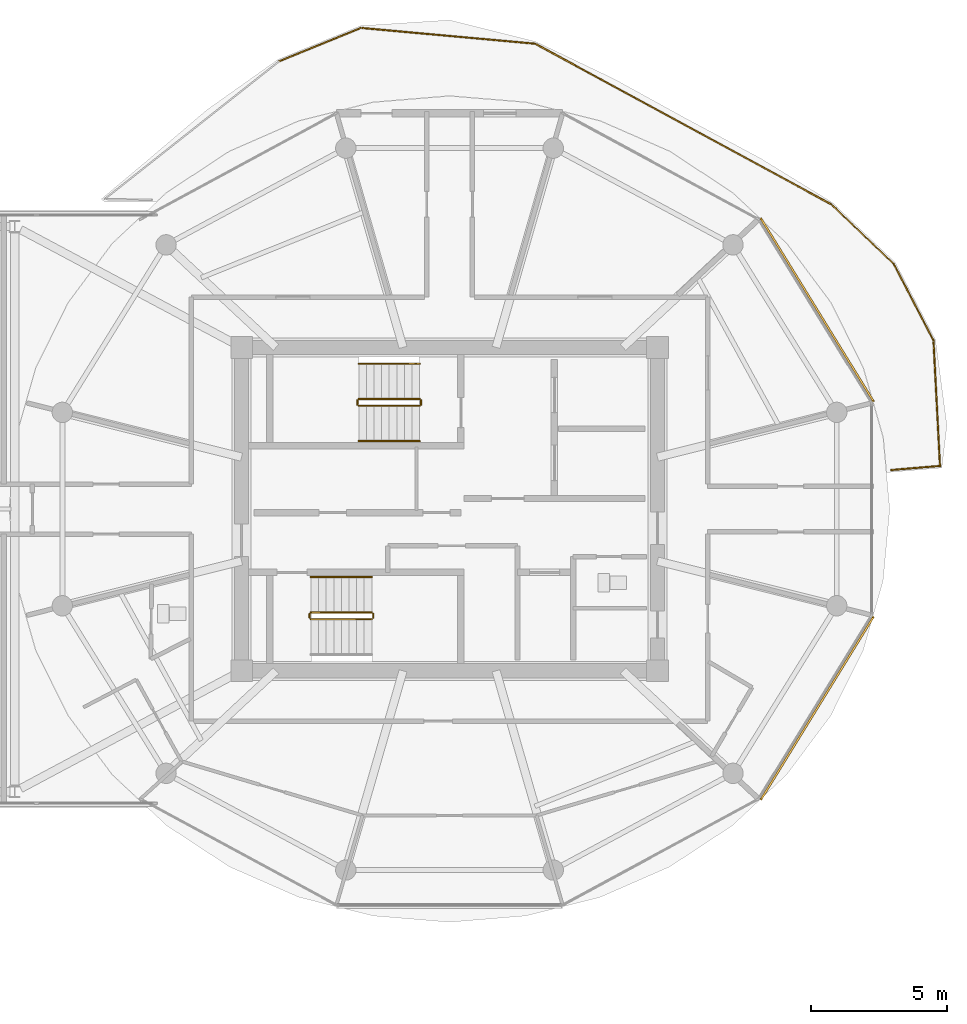
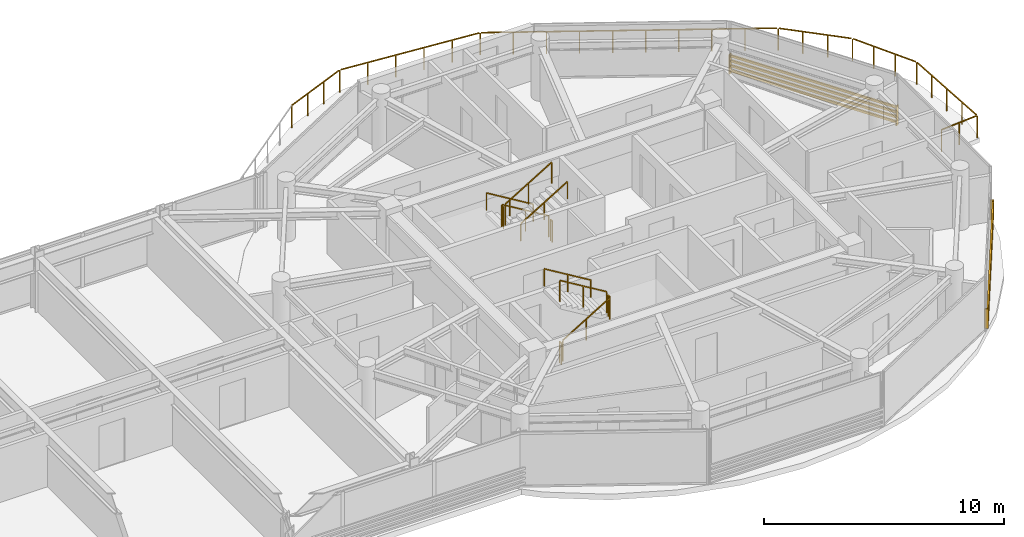
# One storey, part 23 of 24: 12 railings, 2 shading devices.
"""IFC4 building model written with IfcOpenShell, lengths in metres."""

import ifcopenshell
import ifcopenshell.guid

model = None  # the IFC model being written
_history = None  # IfcOwnerHistory: only IFC2X3 demands one
_inside = {}  # id of a spatial element -> (the spatial element, [elements in it])
_under = {}  # id of a project, library or spatial element -> (it, [spatial elements below it])
_declared = {}  # id of a project -> (the project, [libraries it declares])
_typed = {}  # id of a type object -> (the type object, [elements of that type])
_made_of = {}  # id of a material, layer set ... -> (it, [elements and type objects made of it])


def new_model(schema):
    """Start an empty IFC model of exactly this schema.

    Asked for "IFC4X3", IfcOpenShell would pick the latest addendum, in which some entities
    have other attributes; the version numbers below select the first issue.
    IFC2X3 requires an IfcOwnerHistory on every rooted entity: one is made here for all.
    """
    global model, _history
    if schema == "IFC4X3":
        model = ifcopenshell.file(schema_version=(4, 3, 0, 0))
    else:
        model = ifcopenshell.file(schema=schema)
    _inside.clear()
    _under.clear()
    _declared.clear()
    _typed.clear()
    _made_of.clear()
    _history = None
    if model.schema == "IFC2X3":
        org = make("IfcOrganization", Name="unknown")
        user = make(
            "IfcPersonAndOrganization",
            ThePerson=make("IfcPerson", FamilyName="unknown"),
            TheOrganization=org,
        )
        app = make(
            "IfcApplication",
            ApplicationDeveloper=org,
            Version="unknown",
            ApplicationFullName="unknown",
            ApplicationIdentifier="unknown",
        )
        _history = make(
            "IfcOwnerHistory",
            OwningUser=user,
            OwningApplication=app,
            ChangeAction="ADDED",
            CreationDate=0,
        )
    return model


def make(cls, **values):
    """One entity of the class cls with the attributes given. An attribute that is None is left unset."""
    return model.create_entity(
        cls, **{name: value for name, value in values.items() if value is not None}
    )


def rooted(cls, **values):
    """An entity with a GlobalId (a new one), such as an element, a storey or a relation."""
    return make(cls, GlobalId=ifcopenshell.guid.new(), OwnerHistory=_history, **values)


def si_unit(unit_type, name, prefix=None):
    """IfcSIUnit, for example si_unit("LENGTHUNIT", "METRE", prefix="MILLI")."""
    return make("IfcSIUnit", UnitType=unit_type, Prefix=prefix, Name=name)


def assignment(units):
    """IfcUnitAssignment: the units of a project."""
    return None if units is None else make("IfcUnitAssignment", Units=units)


def point(xyz):
    """IfcCartesianPoint."""
    return None if xyz is None else make("IfcCartesianPoint", Coordinates=xyz)


def direction(xyz):
    """IfcDirection."""
    return None if xyz is None else make("IfcDirection", DirectionRatios=xyz)


def frame(location, z_axis=None, x_axis=None):
    """IfcAxis2Placement3D, a coordinate frame: its origin and axes. An axis left out is left unset."""
    return make(
        "IfcAxis2Placement3D",
        Location=point(location),
        Axis=direction(z_axis),
        RefDirection=direction(x_axis),
    )


def frame_2d(location, x_axis=None):
    """IfcAxis2Placement2D, a coordinate frame in the plane: its origin and x axis."""
    return make(
        "IfcAxis2Placement2D", Location=point(location), RefDirection=direction(x_axis)
    )


def origin():
    """The frame at (0, 0, 0) with its axes left unset."""
    return frame((0.0, 0.0, 0.0))


def origin_2d():
    """The frame at (0, 0) in the plane with its x axis left unset."""
    return frame_2d((0.0, 0.0))


def place(relative_to, where):
    """IfcLocalPlacement: puts the frame where relative to a parent placement (None: the world)."""
    return make(
        "IfcLocalPlacement", PlacementRelTo=relative_to, RelativePlacement=where
    )


def context(
    kind, dimensions, precision=None, world=None, true_north=None, identifier=None
):
    """IfcGeometricRepresentationContext, for example the 3D "Model" context."""
    return make(
        "IfcGeometricRepresentationContext",
        ContextIdentifier=identifier,
        ContextType=kind,
        CoordinateSpaceDimension=dimensions,
        Precision=precision,
        WorldCoordinateSystem=world,
        TrueNorth=true_north,
    )


def subcontext(parent, identifier, kind, view, scale=None):
    """IfcGeometricRepresentationSubContext, for example "Body" below "Model"."""
    return make(
        "IfcGeometricRepresentationSubContext",
        ContextIdentifier=identifier,
        ContextType=kind,
        ParentContext=parent,
        TargetScale=scale,
        TargetView=view,
    )


def project(units=None, contexts=None):
    """IfcProject with its units and contexts."""
    return rooted(
        "IfcProject",
        Name="project",
        RepresentationContexts=contexts,
        UnitsInContext=assignment(units),
    )


def spatial(cls, under=None, at=None, **own):
    """A site, building, storey or space (cls), placed at a placement, below another one or the project."""
    s = rooted(cls, ObjectPlacement=at, **own)
    if under is not None:
        _under.setdefault(under.id(), (under, []))[1].append(s)
    return s


def profile(cls, at=None, kind="AREA", **sizes):
    """A parametric profile (cls). Its sizes go by their IFC names, for example OverallWidth=200.0."""
    return make(cls, ProfileType=kind, Position=at, **sizes)


def rectangle(**sizes):
    """IfcRectangleProfileDef."""
    return profile("IfcRectangleProfileDef", **sizes)


def extrude(swept, where, along, depth):
    """IfcExtrudedAreaSolid: the profile swept, set in the frame where, extruded along a direction by depth."""
    return make(
        "IfcExtrudedAreaSolid",
        SweptArea=swept,
        Position=where,
        ExtrudedDirection=direction(along),
        Depth=depth,
    )


def shape(context_of_items, identifier, shape_type, items):
    """IfcShapeRepresentation: the items that make up one representation, for example the "Body"."""
    return make(
        "IfcShapeRepresentation",
        ContextOfItems=context_of_items,
        RepresentationIdentifier=identifier,
        RepresentationType=shape_type,
        Items=items,
    )


def source(mapping_origin, context_of_items, identifier, shape_type, items):
    """IfcRepresentationMap: a shape defined once, which mapped items show again and again."""
    return make(
        "IfcRepresentationMap",
        MappingOrigin=mapping_origin,
        MappedRepresentation=shape(context_of_items, identifier, shape_type, items),
    )


def transform(
    local_origin,
    x_axis=None,
    y_axis=None,
    z_axis=None,
    scale=None,
    scale2=None,
    scale3=None,
    uniform=True,
):
    """IfcCartesianTransformationOperator3D, or its non-uniform kind. x_axis, y_axis, z_axis: its Axis1, 2, 3."""
    if uniform:
        return make(
            "IfcCartesianTransformationOperator3D",
            Axis1=direction(x_axis),
            Axis2=direction(y_axis),
            LocalOrigin=point(local_origin),
            Scale=scale,
            Axis3=direction(z_axis),
        )
    return make(
        "IfcCartesianTransformationOperator3DnonUniform",
        Axis1=direction(x_axis),
        Axis2=direction(y_axis),
        LocalOrigin=point(local_origin),
        Scale=scale,
        Axis3=direction(z_axis),
        Scale2=scale2,
        Scale3=scale3,
    )


def mapped(mapping_source, mapping_target):
    """IfcMappedItem: shows the shape of a source again, moved by a transform."""
    return make(
        "IfcMappedItem", MappingSource=mapping_source, MappingTarget=mapping_target
    )


def material(Name=None, Category=None):
    """IfcMaterial."""
    return make("IfcMaterial", Name=Name, Category=Category)


def made_of(thing, what):
    """Note that an element or type object is made of a material, layer set ...; save() writes the relation."""
    if what is not None:
        _made_of.setdefault(what.id(), (what, []))[1].append(thing)
    return thing


def type_object(cls, material=None, **own):
    """A type object (cls), such as IfcWallType, which elements share."""
    return made_of(rooted(cls, **own), material)


def type_shapes(of_type, sources):
    """Give a type object the sources (RepresentationMaps) that its elements show as mapped items."""
    of_type.RepresentationMaps = sources


def element(
    cls,
    number,
    at=None,
    inside=None,
    cuts=None,
    type_object=None,
    material=None,
    context=None,
    identifier="Body",
    shape_type=None,
    held_by="IfcProductDefinitionShape",
    body=None,
    shapes=None,
    **own,
):
    """One element of the class cls, such as IfcWall. Its Tag is "e" and its number.

    at: its placement. inside: the storey or other place that contains it. cuts: it is an
    opening in that element (IfcRelVoidsElement). A single representation is given by context,
    identifier, shape_type and body (its items); several are given by shapes. held_by: the class
    of the entity that holds the representations. save() writes the other relations.
    """
    e = rooted(cls, Tag="e%d" % number, ObjectPlacement=at, **own)
    if body is not None:
        shapes = [shape(context, identifier, shape_type, body)]
    if shapes is not None:
        e.Representation = make(held_by, Representations=shapes)
    if inside is not None:
        _inside.setdefault(inside.id(), (inside, []))[1].append(e)
    if cuts is not None:
        rooted(
            "IfcRelVoidsElement", RelatingBuildingElement=cuts, RelatedOpeningElement=e
        )
    if type_object is not None:
        _typed.setdefault(type_object.id(), (type_object, []))[1].append(e)
    return made_of(e, material)


def aggregate(whole, parts):
    """IfcRelAggregates: a whole, such as a stair, and the parts it consists of."""
    return rooted("IfcRelAggregates", RelatingObject=whole, RelatedObjects=parts)


def save(model, path):
    """Write the relations noted so far, then the file.

    IfcRelAggregates (storeys below a building ...), IfcRelContainedInSpatialStructure (elements
    in a storey), IfcRelDefinesByType, IfcRelAssociatesMaterial and IfcRelDeclares: one each for
    every whole, place, type object, material and project.
    """
    for whole, parts in _under.values():
        aggregate(whole, parts)
    for where, things in _inside.values():
        rooted(
            "IfcRelContainedInSpatialStructure",
            RelatedElements=things,
            RelatingStructure=where,
        )
    for kind, things in _typed.values():
        rooted("IfcRelDefinesByType", RelatedObjects=things, RelatingType=kind)
    for what, things in _made_of.values():
        rooted("IfcRelAssociatesMaterial", RelatedObjects=things, RelatingMaterial=what)
    for by, libraries in _declared.values():
        rooted("IfcRelDeclares", RelatingContext=by, RelatedDefinitions=libraries)
    model.write(path)


model = new_model("IFC4")

# Units and contexts
model_context = context("Model", 3, precision=1e-05, world=origin(), true_north=direction((0.0, 1.0)))
body_context = subcontext(model_context, "Body", "Model", "MODEL_VIEW")
ifc_project = project(units=[si_unit("LENGTHUNIT", "METRE"), si_unit("AREAUNIT", "SQUARE_METRE"), si_unit("VOLUMEUNIT", "CUBIC_METRE"), si_unit("PLANEANGLEUNIT", "RADIAN"), si_unit("MASSUNIT", "GRAM", prefix="KILO")], contexts=[model_context])

# Site, building, storey
site_placement = place(None, origin())
site = spatial("IfcSite", under=ifc_project, at=site_placement, CompositionType="ELEMENT")
building_placement = place(site_placement, origin())
building = spatial("IfcBuilding", under=site, at=building_placement, Name="Norrkilde Senior Care Towers", CompositionType="ELEMENT")
storey_placement = place(building_placement, frame((0.0, 0.0, 226.10009765625)))
storey = spatial("IfcBuildingStorey", under=building, at=storey_placement, Name="L70", CompositionType="ELEMENT", Elevation=226.10009765625)

# Railings
ifc_material_1 = material(Name="Anodised Aluminium", Category="aluminium")
railing_type_1 = type_object("IfcRailingType", Name="Balcony Swirl Ribbon Guardrail 1150", PredefinedType="GUARDRAIL", material=ifc_material_1)
railing_1_placement = place(storey_placement, frame((21.7255859375, 16.474609375, 0.0)))
element("IfcRailing", 1, at=railing_1_placement, inside=storey, type_object=railing_type_1, Name="L70 Perimeter Safety Guard 01", PredefinedType="GUARDRAIL", context=body_context, shape_type="SweptSolid", body=[
    extrude(rectangle(XDim=0.048095703125, YDim=0.048095703125, at=origin_2d()), frame((0.0, 0.0, 1.1259765625), z_axis=(0.925804795681, 0.378001958055, 0.0), x_axis=(-0.378001958055, 0.925804795681, 0.0)), (0.0, 0.0, 1.0), 3.21435546875),
    extrude(rectangle(XDim=0.048095703125, YDim=0.048095703125, at=origin_2d()), frame((3.054443359375, 1.226806640625, 1.1259765625), z_axis=(0.995906553427, -0.090388809267, 0.0), x_axis=(0.090388809267, 0.995906553427, 0.0)), (0.0, 0.0, 1.0), 6.360107421875),
    extrude(rectangle(XDim=0.048095703125, YDim=0.048095703125, at=origin_2d()), frame((9.465087890625, 0.628662109375, 1.1259765625), z_axis=(0.878921404116, -0.476966629216, 0.0), x_axis=(0.476966629216, 0.878921404116, 0.0)), (0.0, 0.0, 1.0), 12.308837890625),
    extrude(rectangle(XDim=0.048095703125, YDim=0.048095703125, at=origin_2d()), frame((20.34912109375, -5.2900390625, 1.1259765625), z_axis=(0.723378195672, -0.690452015731, 0.0), x_axis=(0.690452015731, 0.723378195672, 0.0)), (0.0, 0.0, 1.0), 3.09912109375),
    extrude(rectangle(XDim=0.048095703125, YDim=0.048095703125, at=origin_2d()), frame((22.639404296875, -7.494384765625, 1.1259765625), z_axis=(0.460852637019, -0.887476674033, 0.0), x_axis=(0.887476674033, 0.460852637019, 0.0)), (0.0, 0.0, 1.0), 3.085205078125),
    extrude(rectangle(XDim=0.048095703125, YDim=0.048095703125, at=origin_2d()), frame((24.082275390625, -10.309326171875, 1.1259765625), z_axis=(0.051791257746, -0.998657932238, 0.0), x_axis=(0.998657932238, 0.051791257746, 0.0)), (0.0, 0.0, 1.0), 4.542724609375),
    extrude(rectangle(XDim=0.048095703125, YDim=0.048095703125, at=origin_2d()), frame((24.27880859375, -14.89013671875, 1.1259765625), z_axis=(-0.996532683611, -0.083202226503, 0.0), x_axis=(0.083202226503, -0.996532683611, 0.0)), (0.0, 0.0, 1.0), 1.763671875),
    extrude(rectangle(XDim=0.0419921875, YDim=0.0419921875, at=origin_2d()), origin(), (0.0, 0.0, 1.0), 1.099853515625),
    extrude(rectangle(XDim=0.0419921875, YDim=0.0419921875, at=origin_2d()), frame((1.004638671875, 0.41015625, 0.0)), (0.0, 0.0, 1.0), 1.099853515625),
    extrude(rectangle(XDim=0.0419921875, YDim=0.0419921875, at=origin_2d()), frame((2.009033203125, 0.8203125, 0.0)), (0.0, 0.0, 1.0), 1.099853515625),
    extrude(rectangle(XDim=0.0419921875, YDim=0.0419921875, at=origin_2d()), frame((3.013671875, 1.23046875, 0.0)), (0.0, 0.0, 1.0), 1.099853515625),
    extrude(rectangle(XDim=0.0419921875, YDim=0.0419921875, at=origin_2d()), frame((4.296875, 1.114013671875, 0.0)), (0.0, 0.0, 1.0), 1.099853515625),
    extrude(rectangle(XDim=0.0419921875, YDim=0.0419921875, at=origin_2d()), frame((5.579833984375, 0.99755859375, 0.0)), (0.0, 0.0, 1.0), 1.099853515625),
    extrude(rectangle(XDim=0.0419921875, YDim=0.0419921875, at=origin_2d()), frame((6.863037109375, 0.881103515625, 0.0)), (0.0, 0.0, 1.0), 1.099853515625),
    extrude(rectangle(XDim=0.0419921875, YDim=0.0419921875, at=origin_2d()), frame((8.14599609375, 0.7646484375, 0.0)), (0.0, 0.0, 1.0), 1.099853515625),
    extrude(rectangle(XDim=0.0419921875, YDim=0.0419921875, at=origin_2d()), frame((9.42919921875, 0.648193359375, 0.0)), (0.0, 0.0, 1.0), 1.099853515625),
    extrude(rectangle(XDim=0.0419921875, YDim=0.0419921875, at=origin_2d()), frame((10.63916015625, -0.008544921875, 0.0)), (0.0, 0.0, 1.0), 1.099853515625),
    extrude(rectangle(XDim=0.0419921875, YDim=0.0419921875, at=origin_2d()), frame((11.849365234375, -0.6650390625, 0.0)), (0.0, 0.0, 1.0), 1.099853515625),
    extrude(rectangle(XDim=0.0419921875, YDim=0.0419921875, at=origin_2d()), frame((13.059326171875, -1.32177734375, 0.0)), (0.0, 0.0, 1.0), 1.099853515625),
    extrude(rectangle(XDim=0.0419921875, YDim=0.0419921875, at=origin_2d()), frame((14.269287109375, -1.978515625, 0.0)), (0.0, 0.0, 1.0), 1.099853515625),
    extrude(rectangle(XDim=0.0419921875, YDim=0.0419921875, at=origin_2d()), frame((15.4794921875, -2.635009765625, 0.0)), (0.0, 0.0, 1.0), 1.099853515625),
    extrude(rectangle(XDim=0.0419921875, YDim=0.0419921875, at=origin_2d()), frame((16.689453125, -3.291748046875, 0.0)), (0.0, 0.0, 1.0), 1.099853515625),
    extrude(rectangle(XDim=0.0419921875, YDim=0.0419921875, at=origin_2d()), frame((17.8994140625, -3.948486328125, 0.0)), (0.0, 0.0, 1.0), 1.099853515625),
    extrude(rectangle(XDim=0.0419921875, YDim=0.0419921875, at=origin_2d()), frame((19.109619140625, -4.60498046875, 0.0)), (0.0, 0.0, 1.0), 1.099853515625),
    extrude(rectangle(XDim=0.0419921875, YDim=0.0419921875, at=origin_2d()), frame((20.319580078125, -5.26171875, 0.0)), (0.0, 0.0, 1.0), 1.099853515625),
    extrude(rectangle(XDim=0.0419921875, YDim=0.0419921875, at=origin_2d()), frame((21.086669921875, -5.993896484375, 0.0)), (0.0, 0.0, 1.0), 1.099853515625),
    extrude(rectangle(XDim=0.0419921875, YDim=0.0419921875, at=origin_2d()), frame((21.853515625, -6.725830078125, 0.0)), (0.0, 0.0, 1.0), 1.099853515625),
    extrude(rectangle(XDim=0.0419921875, YDim=0.0419921875, at=origin_2d()), frame((22.62060546875, -7.4580078125, 0.0)), (0.0, 0.0, 1.0), 1.099853515625),
    extrude(rectangle(XDim=0.0419921875, YDim=0.0419921875, at=origin_2d()), frame((23.107177734375, -8.394775390625, 0.0)), (0.0, 0.0, 1.0), 1.099853515625),
    extrude(rectangle(XDim=0.0419921875, YDim=0.0419921875, at=origin_2d()), frame((23.593505859375, -9.331787109375, 0.0)), (0.0, 0.0, 1.0), 1.099853515625),
    extrude(rectangle(XDim=0.0419921875, YDim=0.0419921875, at=origin_2d()), frame((24.080078125, -10.2685546875, 0.0)), (0.0, 0.0, 1.0), 1.099853515625),
    extrude(rectangle(XDim=0.0419921875, YDim=0.0419921875, at=origin_2d()), frame((24.139892578125, -11.423095703125, 0.0)), (0.0, 0.0, 1.0), 1.099853515625),
    extrude(rectangle(XDim=0.0419921875, YDim=0.0419921875, at=origin_2d()), frame((24.19970703125, -12.57763671875, 0.0)), (0.0, 0.0, 1.0), 1.099853515625),
    extrude(rectangle(XDim=0.0419921875, YDim=0.0419921875, at=origin_2d()), frame((24.259765625, -13.732177734375, 0.0)), (0.0, 0.0, 1.0), 1.099853515625),
    extrude(rectangle(XDim=0.0419921875, YDim=0.0419921875, at=origin_2d()), frame((24.319580078125, -14.88671875, 0.0)), (0.0, 0.0, 1.0), 1.099853515625),
    extrude(rectangle(XDim=0.0419921875, YDim=0.0419921875, at=origin_2d()), frame((23.42041015625, -14.9619140625, 0.0)), (0.0, 0.0, 1.0), 1.099853515625),
    extrude(rectangle(XDim=0.0419921875, YDim=0.0419921875, at=origin_2d()), frame((22.521240234375, -15.036865234375, 0.0)), (0.0, 0.0, 1.0), 1.099853515625),
])
ifc_material_2 = material(Name="Stainless Steel", Category="steel")
railing_type_2 = type_object("IfcRailingType", Name="Stair and Terrace Guardrail 1100", PredefinedType="GUARDRAIL", material=ifc_material_2)
railing_2_placement = place(storey_placement, frame((26.89990234375, 4.050048828125, 0.16943359375)))
element("IfcRailing", 2, at=railing_2_placement, inside=storey, type_object=railing_type_2, Name="L70 ST-E1 stair guard 1", PredefinedType="GUARDRAIL", context=body_context, shape_type="SweptSolid", body=[
    extrude(rectangle(XDim=0.048095703125, YDim=0.048095703125, at=origin_2d()), frame((0.0, 0.0, 1.076171875), z_axis=(-0.855553338991, 0.0, 0.51771467445), x_axis=(0.0, -1.0, 0.0)), (0.0, 0.0, 1.0), 2.6181640625),
    extrude(rectangle(XDim=0.0419921875, YDim=0.0419921875, at=origin_2d()), origin(), (0.0, 0.0, 1.0), 1.050048828125),
    extrude(rectangle(XDim=0.0419921875, YDim=0.0419921875, at=origin_2d()), frame((-1.1201171875, 0.0, 0.677734375)), (0.0, 0.0, 1.0), 1.050048828125),
    extrude(rectangle(XDim=0.0419921875, YDim=0.0419921875, at=origin_2d()), frame((-2.239990234375, 0.0, 1.35546875)), (0.0, 0.0, 1.0), 1.050048828125),
])
railing_3_placement = place(storey_placement, frame((24.610107421875, 4.0, 1.52490234375)))
element("IfcRailing", 3, at=railing_3_placement, inside=storey, type_object=railing_type_2, Name="L70 ST-E1 stair guard 2", PredefinedType="GUARDRAIL", context=body_context, shape_type="SweptSolid", body=[
    extrude(rectangle(XDim=0.048095703125, YDim=0.048095703125, at=origin_2d()), frame((0.0, 0.0, 1.076171875), z_axis=(0.0, -1.0, 0.0), x_axis=(1.0, 0.0, 0.0)), (0.0, 0.0, 1.0), 0.14990234375),
    extrude(rectangle(XDim=0.0419921875, YDim=0.0419921875, at=origin_2d()), origin(), (0.0, 0.0, 1.0), 1.050048828125),
    extrude(rectangle(XDim=0.0419921875, YDim=0.0419921875, at=origin_2d()), frame((0.0, -0.14990234375, 0.0)), (0.0, 0.0, 1.0), 1.050048828125),
])
railing_4_placement = place(storey_placement, frame((24.659912109375, 3.800048828125, 1.6943359375)))
element("IfcRailing", 4, at=railing_4_placement, inside=storey, type_object=railing_type_2, Name="L70 ST-E1 stair guard 3", PredefinedType="GUARDRAIL", context=body_context, shape_type="SweptSolid", body=[
    extrude(rectangle(XDim=0.048095703125, YDim=0.048095703125, at=origin_2d()), frame((0.0, 0.0, 1.076171875), z_axis=(0.855553338991, 0.0, 0.51771467445), x_axis=(0.0, 1.0, 0.0)), (0.0, 0.0, 1.0), 2.6181640625),
    extrude(rectangle(XDim=0.0419921875, YDim=0.0419921875, at=origin_2d()), origin(), (0.0, 0.0, 1.0), 1.050048828125),
    extrude(rectangle(XDim=0.0419921875, YDim=0.0419921875, at=origin_2d()), frame((1.1201171875, 0.0, 0.677734375)), (0.0, 0.0, 1.0), 1.050048828125),
    extrude(rectangle(XDim=0.0419921875, YDim=0.0419921875, at=origin_2d()), frame((2.239990234375, 0.0, 1.35546875)), (0.0, 0.0, 1.0), 1.050048828125),
])
railing_5_placement = place(storey_placement, frame((26.949951171875, 4.0, 0.0)))
element("IfcRailing", 5, at=railing_5_placement, inside=storey, type_object=railing_type_2, Name="L70 ST-E1 stair guard 4", PredefinedType="GUARDRAIL", context=body_context, shape_type="SweptSolid", body=[
    extrude(rectangle(XDim=0.048095703125, YDim=0.048095703125, at=origin_2d()), frame((0.0, 0.0, 1.076171875), z_axis=(0.0, -1.0, 0.0), x_axis=(1.0, 0.0, 0.0)), (0.0, 0.0, 1.0), 0.14990234375),
    extrude(rectangle(XDim=0.0419921875, YDim=0.0419921875, at=origin_2d()), origin(), (0.0, 0.0, 1.0), 1.050048828125),
    extrude(rectangle(XDim=0.0419921875, YDim=0.0419921875, at=origin_2d()), frame((0.0, -0.14990234375, 0.0)), (0.0, 0.0, 1.0), 1.050048828125),
])
railing_6_placement = place(storey_placement, frame((22.89990234375, -4.050048828125, 0.16943359375)))
element("IfcRailing", 6, at=railing_6_placement, inside=storey, type_object=railing_type_2, Name="L70 ST-E2 stair guard 1", PredefinedType="GUARDRAIL", context=body_context, shape_type="SweptSolid", body=[
    extrude(rectangle(XDim=0.048095703125, YDim=0.048095703125, at=origin_2d()), frame((0.0, 0.0, 1.076171875), z_axis=(0.855553338991, 0.0, 0.51771467445), x_axis=(0.0, 1.0, 0.0)), (0.0, 0.0, 1.0), 2.6181640625),
    extrude(rectangle(XDim=0.0419921875, YDim=0.0419921875, at=origin_2d()), origin(), (0.0, 0.0, 1.0), 1.050048828125),
    extrude(rectangle(XDim=0.0419921875, YDim=0.0419921875, at=origin_2d()), frame((1.1201171875, 0.0, 0.677734375)), (0.0, 0.0, 1.0), 1.050048828125),
    extrude(rectangle(XDim=0.0419921875, YDim=0.0419921875, at=origin_2d()), frame((2.239990234375, 0.0, 1.35546875)), (0.0, 0.0, 1.0), 1.050048828125),
])
railing_7_placement = place(storey_placement, frame((25.18994140625, -4.0, 1.52490234375)))
element("IfcRailing", 7, at=railing_7_placement, inside=storey, type_object=railing_type_2, Name="L70 ST-E2 stair guard 2", PredefinedType="GUARDRAIL", context=body_context, shape_type="SweptSolid", body=[
    extrude(rectangle(XDim=0.048095703125, YDim=0.048095703125, at=origin_2d()), frame((0.0, 0.0, 1.076171875), z_axis=(0.0, 1.0, 0.0), x_axis=(-1.0, 0.0, 0.0)), (0.0, 0.0, 1.0), 0.14990234375),
    extrude(rectangle(XDim=0.0419921875, YDim=0.0419921875, at=origin_2d()), origin(), (0.0, 0.0, 1.0), 1.050048828125),
    extrude(rectangle(XDim=0.0419921875, YDim=0.0419921875, at=origin_2d()), frame((0.0, 0.14990234375, 0.0)), (0.0, 0.0, 1.0), 1.050048828125),
])
railing_8_placement = place(storey_placement, frame((25.139892578125, -3.800048828125, 1.6943359375)))
element("IfcRailing", 8, at=railing_8_placement, inside=storey, type_object=railing_type_2, Name="L70 ST-E2 stair guard 3", PredefinedType="GUARDRAIL", context=body_context, shape_type="SweptSolid", body=[
    extrude(rectangle(XDim=0.048095703125, YDim=0.048095703125, at=origin_2d()), frame((0.0, 0.0, 1.076171875), z_axis=(-0.855553338991, 0.0, 0.51771467445), x_axis=(0.0, -1.0, 0.0)), (0.0, 0.0, 1.0), 2.6181640625),
    extrude(rectangle(XDim=0.0419921875, YDim=0.0419921875, at=origin_2d()), origin(), (0.0, 0.0, 1.0), 1.050048828125),
    extrude(rectangle(XDim=0.0419921875, YDim=0.0419921875, at=origin_2d()), frame((-1.1201171875, 0.0, 0.677734375)), (0.0, 0.0, 1.0), 1.050048828125),
    extrude(rectangle(XDim=0.0419921875, YDim=0.0419921875, at=origin_2d()), frame((-2.239990234375, 0.0, 1.35546875)), (0.0, 0.0, 1.0), 1.050048828125),
])
railing_9_placement = place(storey_placement, frame((22.85009765625, -4.0, 0.0)))
element("IfcRailing", 9, at=railing_9_placement, inside=storey, type_object=railing_type_2, Name="L70 ST-E2 stair guard 4", PredefinedType="GUARDRAIL", context=body_context, shape_type="SweptSolid", body=[
    extrude(rectangle(XDim=0.048095703125, YDim=0.048095703125, at=origin_2d()), frame((0.0, 0.0, 1.076171875), z_axis=(0.0, 1.0, 0.0), x_axis=(-1.0, 0.0, 0.0)), (0.0, 0.0, 1.0), 0.14990234375),
    extrude(rectangle(XDim=0.0419921875, YDim=0.0419921875, at=origin_2d()), origin(), (0.0, 0.0, 1.0), 1.050048828125),
    extrude(rectangle(XDim=0.0419921875, YDim=0.0419921875, at=origin_2d()), frame((0.0, 0.14990234375, 0.0)), (0.0, 0.0, 1.0), 1.050048828125),
])
ifc_material_3 = material(Name="Nordic Ash Timber", Category="wood")
railing_type_3 = type_object("IfcRailingType", Name="Wall and Stair Handrail 900", PredefinedType="HANDRAIL", material=ifc_material_3)
railing_10_placement = place(storey_placement, frame((26.89990234375, 5.35009765625, 0.16943359375)))
element("IfcRailing", 10, at=railing_10_placement, inside=storey, type_object=railing_type_3, Name="L70 ST-E1 stair handrail 1", PredefinedType="HANDRAIL", context=body_context, shape_type="SweptSolid", body=[
    extrude(rectangle(XDim=0.048095703125, YDim=0.048095703125, at=origin_2d()), frame((0.0, 0.0, 0.8759765625), z_axis=(-0.855553338991, 0.0, 0.51771467445), x_axis=(0.0, -1.0, 0.0)), (0.0, 0.0, 1.0), 2.6181640625),
    extrude(rectangle(XDim=0.0419921875, YDim=0.0419921875, at=origin_2d()), origin(), (0.0, 0.0, 1.0), 0.849853515625),
    extrude(rectangle(XDim=0.0419921875, YDim=0.0419921875, at=origin_2d()), frame((-1.1201171875, 0.0, 0.677734375)), (0.0, 0.0, 1.0), 0.849853515625),
    extrude(rectangle(XDim=0.0419921875, YDim=0.0419921875, at=origin_2d()), frame((-2.239990234375, 0.0, 1.35546875)), (0.0, 0.0, 1.0), 0.849853515625),
])
railing_11_placement = place(storey_placement, frame((24.659912109375, 2.5, 1.6943359375)))
element("IfcRailing", 11, at=railing_11_placement, inside=storey, type_object=railing_type_3, Name="L70 ST-E1 stair handrail 2", PredefinedType="HANDRAIL", context=body_context, shape_type="SweptSolid", body=[
    extrude(rectangle(XDim=0.048095703125, YDim=0.048095703125, at=origin_2d()), frame((0.0, 0.0, 0.8759765625), z_axis=(0.855553338991, 0.0, 0.51771467445), x_axis=(0.0, 1.0, 0.0)), (0.0, 0.0, 1.0), 2.6181640625),
    extrude(rectangle(XDim=0.0419921875, YDim=0.0419921875, at=origin_2d()), origin(), (0.0, 0.0, 1.0), 0.849853515625),
    extrude(rectangle(XDim=0.0419921875, YDim=0.0419921875, at=origin_2d()), frame((1.1201171875, 0.0, 0.677734375)), (0.0, 0.0, 1.0), 0.849853515625),
    extrude(rectangle(XDim=0.0419921875, YDim=0.0419921875, at=origin_2d()), frame((2.239990234375, 0.0, 1.35546875)), (0.0, 0.0, 1.0), 0.849853515625),
])
railing_12_placement = place(storey_placement, frame((25.139892578125, -2.5, 1.6943359375)))
element("IfcRailing", 12, at=railing_12_placement, inside=storey, type_object=railing_type_3, Name="L70 ST-E2 stair handrail 2", PredefinedType="HANDRAIL", context=body_context, shape_type="SweptSolid", body=[
    extrude(rectangle(XDim=0.048095703125, YDim=0.048095703125, at=origin_2d()), frame((0.0, 0.0, 0.8759765625), z_axis=(-0.855553338991, 0.0, 0.51771467445), x_axis=(0.0, -1.0, 0.0)), (0.0, 0.0, 1.0), 2.6181640625),
    extrude(rectangle(XDim=0.0419921875, YDim=0.0419921875, at=origin_2d()), origin(), (0.0, 0.0, 1.0), 0.849853515625),
    extrude(rectangle(XDim=0.0419921875, YDim=0.0419921875, at=origin_2d()), frame((-1.1201171875, 0.0, 0.677734375)), (0.0, 0.0, 1.0), 0.849853515625),
    extrude(rectangle(XDim=0.0419921875, YDim=0.0419921875, at=origin_2d()), frame((-2.239990234375, 0.0, 1.35546875)), (0.0, 0.0, 1.0), 0.849853515625),
])

# Shading devices
ifc_material_4 = material(Name="Architectural Terracotta", Category="masonry")
shading_device_type = type_object("IfcShadingDeviceType", Name="Horizontal Terracotta Baguette Rack", PredefinedType="USERDEFINED", material=ifc_material_4)
shared_shape = source(origin(), body_context, "Body", "SweptSolid", [
    extrude(rectangle(XDim=0.070068359375, YDim=0.110107421875, at=origin_2d()), frame((0.0, 0.090087890625, 0.125), z_axis=(1.0, 0.0, 0.0), x_axis=(0.0, 1.0, 0.0)), (0.0, 0.0, 1.0), 7.938232421875),
    extrude(rectangle(XDim=0.070068359375, YDim=0.110107421875, at=origin_2d()), frame((0.0, 0.090087890625, 0.375), z_axis=(1.0, 0.0, 0.0), x_axis=(0.0, 1.0, 0.0)), (0.0, 0.0, 1.0), 7.938232421875),
    extrude(rectangle(XDim=0.070068359375, YDim=0.110107421875, at=origin_2d()), frame((0.0, 0.090087890625, 0.625), z_axis=(1.0, 0.0, 0.0), x_axis=(0.0, 1.0, 0.0)), (0.0, 0.0, 1.0), 7.938232421875),
    extrude(rectangle(XDim=0.070068359375, YDim=0.110107421875, at=origin_2d()), frame((0.0, 0.090087890625, 0.875), z_axis=(1.0, 0.0, 0.0), x_axis=(0.0, 1.0, 0.0)), (0.0, 0.0, 1.0), 7.938232421875),
    extrude(rectangle(XDim=0.050048828125, YDim=0.1552734375, at=origin_2d()), frame((0.02490234375, 0.047607421875, 0.0)), (0.0, 0.0, 1.0), 1.0),
    extrude(rectangle(XDim=0.050048828125, YDim=0.1552734375, at=origin_2d()), frame((7.9130859375, 0.047607421875, 0.0)), (0.0, 0.0, 1.0), 1.0),
])
type_shapes(shading_device_type, [shared_shape])
for number, where, z_axis, x_axis, name in (
    (13, (39.370361328125, 10.6630859375, 0.079833984375), (0.0, 0.0, 1.0), (0.524250345994, -0.851576195602, 0.0), "L70 Drum E Terracotta Baguette Screen 00"),
    (14, (43.531982421875, -3.903076171875, 0.079833984375), (0.0, 0.0, 1.0), (-0.524250345994, -0.851576195602, 0.0), "L70 Drum E Terracotta Baguette Screen 10"),
):
    element("IfcShadingDevice", number, at=place(storey_placement, frame(where, z_axis=z_axis, x_axis=x_axis)), inside=storey, type_object=shading_device_type, Name=name, ObjectType="BAGUETTE", PredefinedType="USERDEFINED", context=body_context, shape_type="MappedRepresentation", body=[
        mapped(shared_shape, transform((0.0, 0.0, 0.0), x_axis=(1.0, 0.0, 0.0), y_axis=(0.0, 1.0, 0.0), z_axis=(0.0, 0.0, 1.0), scale=1.0)),
    ])

save(model, "model.ifc")
